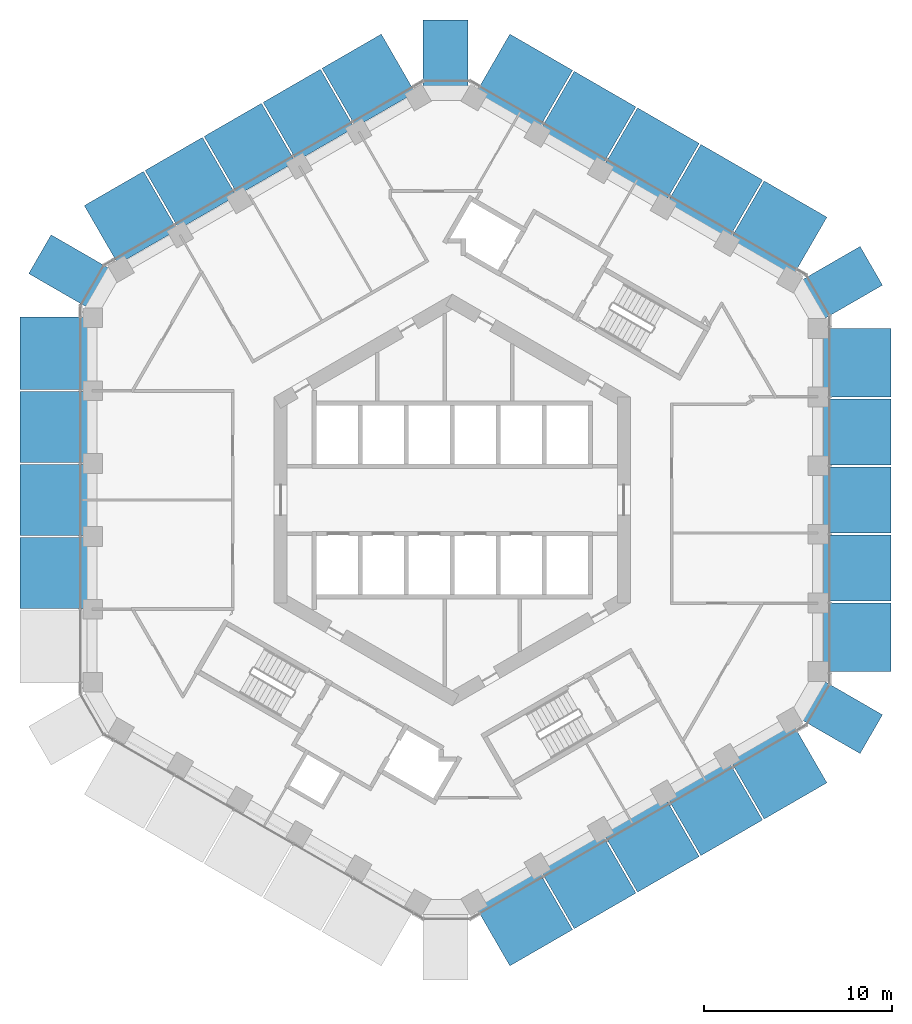
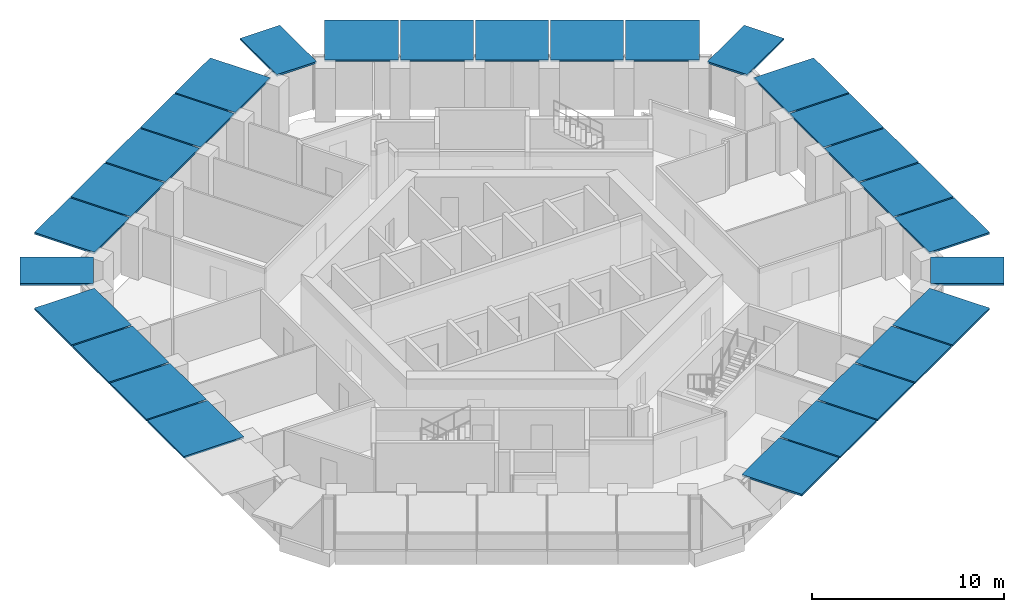
# One storey, part 16 of 19: 28 discrete accessories.
"""IFC4 building model written with IfcOpenShell, lengths in metres."""

from ifc_helpers import new_model, si_unit, direction, frame, origin, origin_2d, place, context, subcontext, project, spatial, rectangle, extrude, material, layer, layer_set, type_object, element, save


model = new_model("IFC4")

# Units and contexts
model_context = context("Model", 3, precision=1e-05, world=origin(), true_north=direction((0.0, 1.0)))
body_context = subcontext(model_context, "Body", "Model", "MODEL_VIEW")
ifc_project = project(units=[si_unit("LENGTHUNIT", "METRE"), si_unit("AREAUNIT", "SQUARE_METRE"), si_unit("VOLUMEUNIT", "CUBIC_METRE"), si_unit("PLANEANGLEUNIT", "RADIAN"), si_unit("MASSUNIT", "GRAM", prefix="KILO")], contexts=[model_context])

# Site, building, storey
site_placement = place(None, origin())
site = spatial("IfcSite", under=ifc_project, at=site_placement, CompositionType="ELEMENT")
building_placement = place(site_placement, origin())
building = spatial("IfcBuilding", under=site, at=building_placement, Name="Ayvan Gate Tower", CompositionType="ELEMENT")
storey_placement = place(building_placement, frame((0.0, 0.0, 100.10009765625)))
storey = spatial("IfcBuildingStorey", under=building, at=storey_placement, Name="L26", CompositionType="ELEMENT", Elevation=100.10009765625)

# Discrete accessories
ifc_material = material(Name="Stainless steel 316", Category="steel")
ifc_layer = layer(ifc_material, 0.1201171875)
ifc_layer_set = layer_set([ifc_layer], Name="Stainless steel 316")
discrete_accessory_type = type_object("IfcDiscreteAccessoryType", Name="Fin carrier bracket", PredefinedType="BRACKET", material=ifc_layer_set)
for number, where, z_axis, x_axis, name in (
    (1, (-21.232421875, -3.896240234375, 3.27978515625), (0.0, 0.0, 1.0), (0.0, -1.0, 0.0), "Fin carrier 46"),
    (2, (-21.232421875, -0.000244140625, 3.27978515625), (0.0, 0.0, 1.0), (0.0, -1.0, 0.0), "Fin carrier 49"),
):
    element("IfcDiscreteAccessory", number, at=place(storey_placement, frame(where, z_axis=z_axis, x_axis=x_axis)), inside=storey, type_object=discrete_accessory_type, Name=name, PredefinedType="BRACKET", context=body_context, shape_type="SweptSolid", body=[
        extrude(rectangle(XDim=3.7958984375, YDim=3.60595703125, at=origin_2d()), origin(), (0.0, 0.0, 1.0), 0.1201171875),
    ])
discrete_accessory_1_placement = place(storey_placement, frame((-21.232421875, 3.896240234375, 3.27978515625), z_axis=(0.0, 0.0, 1.0), x_axis=(0.0, -1.0, 0.0)))
element("IfcDiscreteAccessory", 3, at=discrete_accessory_1_placement, inside=storey, type_object=discrete_accessory_type, Name="Fin carrier 52", PredefinedType="BRACKET", context=body_context, shape_type="SweptSolid", body=[
    extrude(rectangle(XDim=3.797119140625, YDim=3.60595703125, at=origin_2d()), origin(), (0.0, 0.0, 1.0), 0.1201171875),
])
discrete_accessory_2_placement = place(storey_placement, frame((-21.232421875, 7.8251953125, 3.27978515625), z_axis=(0.0, 0.0, 1.0), x_axis=(0.0, -1.0, 0.0)))
element("IfcDiscreteAccessory", 4, at=discrete_accessory_2_placement, inside=storey, type_object=discrete_accessory_type, Name="Fin carrier 55", PredefinedType="BRACKET", context=body_context, shape_type="SweptSolid", body=[
    extrude(rectangle(XDim=3.861083984375, YDim=3.60595703125, at=origin_2d()), origin(), (0.0, 0.0, 1.0), 0.1201171875),
])
discrete_accessory_3_placement = place(storey_placement, frame((-20.32470703125, 12.1455078125, 3.27978515625), z_axis=(0.0, 0.0, 1.0), x_axis=(-0.5, -0.866025403784, 0.0)))
element("IfcDiscreteAccessory", 5, at=discrete_accessory_3_placement, inside=storey, type_object=discrete_accessory_type, Name="Fin carrier 95", PredefinedType="BRACKET", context=body_context, shape_type="SweptSolid", body=[
    extrude(rectangle(XDim=2.386474609375, YDim=3.809814453125, at=origin_2d()), origin(), (0.0, 0.0, 1.0), 0.1201171875),
])
discrete_accessory_4_placement = place(storey_placement, frame((-17.130615234375, 15.0380859375, 3.27978515625), z_axis=(0.0, 0.0, 1.0), x_axis=(-0.866025403784, -0.5, 0.0)))
element("IfcDiscreteAccessory", 6, at=discrete_accessory_4_placement, inside=storey, type_object=discrete_accessory_type, Name="Fin carrier 208", PredefinedType="BRACKET", context=body_context, shape_type="SweptSolid", body=[
    extrude(rectangle(XDim=3.64501953125, YDim=3.60595703125, at=origin_2d()), origin(), (0.0, 0.0, 1.0), 0.1201171875),
])
for number, where, z_axis, x_axis, name in (
    (7, (-13.9375, 16.881591796875, 3.27978515625), (0.0, 0.0, 1.0), (-0.866025403784, -0.5, 0.0), "Fin carrier 275"),
    (8, (-10.794677734375, 18.696044921875, 3.27978515625), (0.0, 0.0, 1.0), (-0.866025403784, -0.5, 0.0), "Fin carrier 337"),
    (9, (-7.65185546875, 20.510498046875, 3.27978515625), (0.0, 0.0, 1.0), (-0.866025403784, -0.5, 0.0), "Fin carrier 400"),
):
    element("IfcDiscreteAccessory", number, at=place(storey_placement, frame(where, z_axis=z_axis, x_axis=x_axis)), inside=storey, type_object=discrete_accessory_type, Name=name, PredefinedType="BRACKET", context=body_context, shape_type="SweptSolid", body=[
        extrude(rectangle(XDim=3.529052734375, YDim=3.60595703125, at=origin_2d()), origin(), (0.0, 0.0, 1.0), 0.1201171875),
    ])
discrete_accessory_5_placement = place(storey_placement, frame((-4.45849609375, 22.354248046875, 3.27978515625), z_axis=(0.0, 0.0, 1.0), x_axis=(-0.866025403784, -0.5, 0.0)))
element("IfcDiscreteAccessory", 10, at=discrete_accessory_5_placement, inside=storey, type_object=discrete_accessory_type, Name="Fin carrier 478", PredefinedType="BRACKET", context=body_context, shape_type="SweptSolid", body=[
    extrude(rectangle(XDim=3.64599609375, YDim=3.60595703125, at=origin_2d()), origin(), (0.0, 0.0, 1.0), 0.1201171875),
])
discrete_accessory_6_placement = place(storey_placement, frame((-0.356201171875, 23.674560546875, 3.27978515625), z_axis=(0.0, 0.0, 1.0), x_axis=(-1.0, 0.0, 0.0)))
element("IfcDiscreteAccessory", 11, at=discrete_accessory_6_placement, inside=storey, type_object=discrete_accessory_type, Name="Fin carrier 521", PredefinedType="BRACKET", context=body_context, shape_type="SweptSolid", body=[
    extrude(rectangle(XDim=2.386474609375, YDim=3.809814453125, at=origin_2d()), origin(), (0.0, 0.0, 1.0), 0.1201171875),
])
discrete_accessory_7_placement = place(storey_placement, frame((3.83935546875, -22.300537109375, 3.27978515625), z_axis=(0.0, 0.0, 1.0), x_axis=(0.866025403784, 0.5, 0.0)))
element("IfcDiscreteAccessory", 12, at=discrete_accessory_7_placement, inside=storey, type_object=discrete_accessory_type, Name="Fin carrier 570", PredefinedType="BRACKET", context=body_context, shape_type="SweptSolid", body=[
    extrude(rectangle(XDim=3.861083984375, YDim=3.60595703125, at=origin_2d()), origin(), (0.0, 0.0, 1.0), 0.1201171875),
])
discrete_accessory_8_placement = place(storey_placement, frame((3.839599609375, 22.30029296875, 3.27978515625), z_axis=(0.0, 0.0, 1.0), x_axis=(-0.866025403784, 0.5, 0.0)))
element("IfcDiscreteAccessory", 13, at=discrete_accessory_8_placement, inside=storey, type_object=discrete_accessory_type, Name="Fin carrier 583", PredefinedType="BRACKET", context=body_context, shape_type="SweptSolid", body=[
    extrude(rectangle(XDim=3.861572265625, YDim=3.60595703125, at=origin_2d()), origin(), (0.0, 0.0, 1.0), 0.1201171875),
])
discrete_accessory_9_placement = place(storey_placement, frame((7.241943359375, -20.336181640625, 3.27978515625), z_axis=(0.0, 0.0, 1.0), x_axis=(0.866025403784, 0.5, 0.0)))
element("IfcDiscreteAccessory", 14, at=discrete_accessory_9_placement, inside=storey, type_object=discrete_accessory_type, Name="Fin carrier 640", PredefinedType="BRACKET", context=body_context, shape_type="SweptSolid", body=[
    extrude(rectangle(XDim=3.797119140625, YDim=3.60595703125, at=origin_2d()), origin(), (0.0, 0.0, 1.0), 0.1201171875),
])
for number, where, z_axis, x_axis, name in (
    (15, (7.2421875, 20.3359375, 3.27978515625), (0.0, 0.0, 1.0), (-0.866025403784, 0.5, 0.0), "Fin carrier 646"),
    (16, (10.616455078125, -18.3876953125, 3.27978515625), (0.0, 0.0, 1.0), (0.866025403784, 0.5, 0.0), "Fin carrier 703"),
    (17, (10.6162109375, 18.387939453125, 3.27978515625), (0.0, 0.0, 1.0), (-0.866025403784, 0.5, 0.0), "Fin carrier 706"),
    (18, (13.990478515625, -16.439697265625, 3.27978515625), (0.0, 0.0, 1.0), (0.866025403784, 0.5, 0.0), "Fin carrier 767"),
):
    element("IfcDiscreteAccessory", number, at=place(storey_placement, frame(where, z_axis=z_axis, x_axis=x_axis)), inside=storey, type_object=discrete_accessory_type, Name=name, PredefinedType="BRACKET", context=body_context, shape_type="SweptSolid", body=[
        extrude(rectangle(XDim=3.7958984375, YDim=3.60595703125, at=origin_2d()), origin(), (0.0, 0.0, 1.0), 0.1201171875),
    ])
discrete_accessory_10_placement = place(storey_placement, frame((13.990478515625, 16.439697265625, 3.27978515625), z_axis=(0.0, 0.0, 1.0), x_axis=(-0.866025403784, 0.5, 0.0)))
element("IfcDiscreteAccessory", 19, at=discrete_accessory_10_placement, inside=storey, type_object=discrete_accessory_type, Name="Fin carrier 768", PredefinedType="BRACKET", context=body_context, shape_type="SweptSolid", body=[
    extrude(rectangle(XDim=3.797119140625, YDim=3.60595703125, at=origin_2d()), origin(), (0.0, 0.0, 1.0), 0.1201171875),
])
discrete_accessory_11_placement = place(storey_placement, frame((17.392822265625, -14.475341796875, 3.27978515625), z_axis=(0.0, 0.0, 1.0), x_axis=(0.866025403784, 0.5, 0.0)))
element("IfcDiscreteAccessory", 20, at=discrete_accessory_11_placement, inside=storey, type_object=discrete_accessory_type, Name="Fin carrier 819", PredefinedType="BRACKET", context=body_context, shape_type="SweptSolid", body=[
    extrude(rectangle(XDim=3.861572265625, YDim=3.60595703125, at=origin_2d()), origin(), (0.0, 0.0, 1.0), 0.1201171875),
])
discrete_accessory_12_placement = place(storey_placement, frame((17.39306640625, 14.475341796875, 3.27978515625), z_axis=(0.0, 0.0, 1.0), x_axis=(-0.866025403784, 0.5, 0.0)))
element("IfcDiscreteAccessory", 21, at=discrete_accessory_12_placement, inside=storey, type_object=discrete_accessory_type, Name="Fin carrier 826", PredefinedType="BRACKET", context=body_context, shape_type="SweptSolid", body=[
    extrude(rectangle(XDim=3.861083984375, YDim=3.60595703125, at=origin_2d()), origin(), (0.0, 0.0, 1.0), 0.1201171875),
])
for number, where, z_axis, x_axis, name in (
    (22, (20.6806640625, -11.52880859375, 3.27978515625), (0.0, 0.0, 1.0), (0.5, 0.866025403784, 0.0), "Fin carrier 951"),
    (23, (20.6806640625, 11.52880859375, 3.27978515625), (0.0, 0.0, 1.0), (-0.5, 0.866025403784, 0.0), "Fin carrier 957"),
):
    element("IfcDiscreteAccessory", number, at=place(storey_placement, frame(where, z_axis=z_axis, x_axis=x_axis)), inside=storey, type_object=discrete_accessory_type, Name=name, PredefinedType="BRACKET", context=body_context, shape_type="SweptSolid", body=[
        extrude(rectangle(XDim=2.386474609375, YDim=3.809814453125, at=origin_2d()), origin(), (0.0, 0.0, 1.0), 0.1201171875),
    ])
discrete_accessory_13_placement = place(storey_placement, frame((21.588623046875, -7.316162109375, 3.27978515625), z_axis=(0.0, 0.0, 1.0), x_axis=(0.0, 1.0, 0.0)))
element("IfcDiscreteAccessory", 24, at=discrete_accessory_13_placement, inside=storey, type_object=discrete_accessory_type, Name="Fin carrier 961", PredefinedType="BRACKET", context=body_context, shape_type="SweptSolid", body=[
    extrude(rectangle(XDim=3.64599609375, YDim=3.60595703125, at=origin_2d()), origin(), (0.0, 0.0, 1.0), 0.1201171875),
])
for number, where, z_axis, x_axis, name in (
    (25, (21.588623046875, -3.628662109375, 3.27978515625), (0.0, 0.0, 1.0), (0.0, 1.0, 0.0), "Fin carrier 967"),
    (26, (21.588623046875, 0.00048828125, 3.27978515625), (0.0, 0.0, 1.0), (0.0, 1.0, 0.0), "Fin carrier 973"),
    (27, (21.588623046875, 3.62939453125, 3.27978515625), (0.0, 0.0, 1.0), (0.0, 1.0, 0.0), "Fin carrier 978"),
):
    element("IfcDiscreteAccessory", number, at=place(storey_placement, frame(where, z_axis=z_axis, x_axis=x_axis)), inside=storey, type_object=discrete_accessory_type, Name=name, PredefinedType="BRACKET", context=body_context, shape_type="SweptSolid", body=[
        extrude(rectangle(XDim=3.529052734375, YDim=3.60595703125, at=origin_2d()), origin(), (0.0, 0.0, 1.0), 0.1201171875),
    ])
discrete_accessory_14_placement = place(storey_placement, frame((21.588623046875, 7.31640625, 3.27978515625), z_axis=(0.0, 0.0, 1.0), x_axis=(0.0, 1.0, 0.0)))
element("IfcDiscreteAccessory", 28, at=discrete_accessory_14_placement, inside=storey, type_object=discrete_accessory_type, Name="Fin carrier 988", PredefinedType="BRACKET", context=body_context, shape_type="SweptSolid", body=[
    extrude(rectangle(XDim=3.64501953125, YDim=3.60595703125, at=origin_2d()), origin(), (0.0, 0.0, 1.0), 0.1201171875),
])

save(model, "model.ifc")
